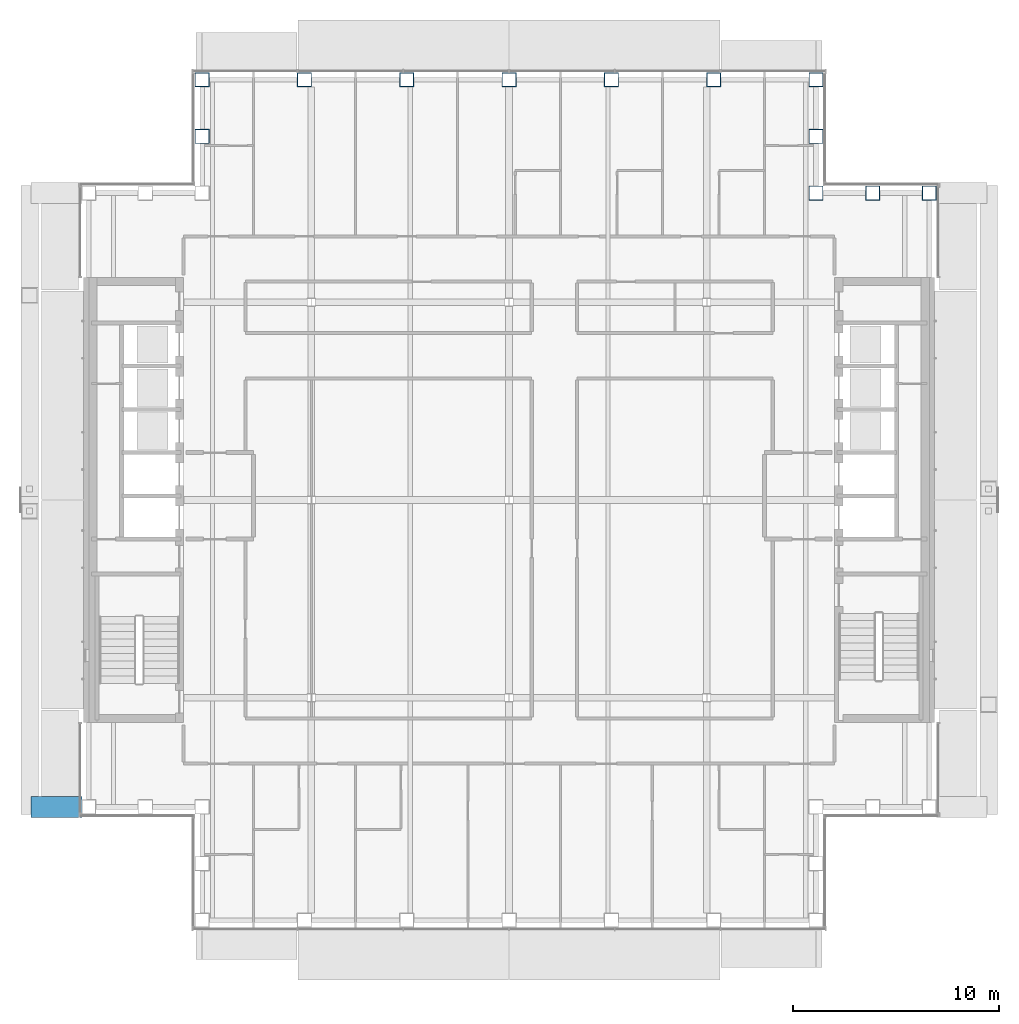
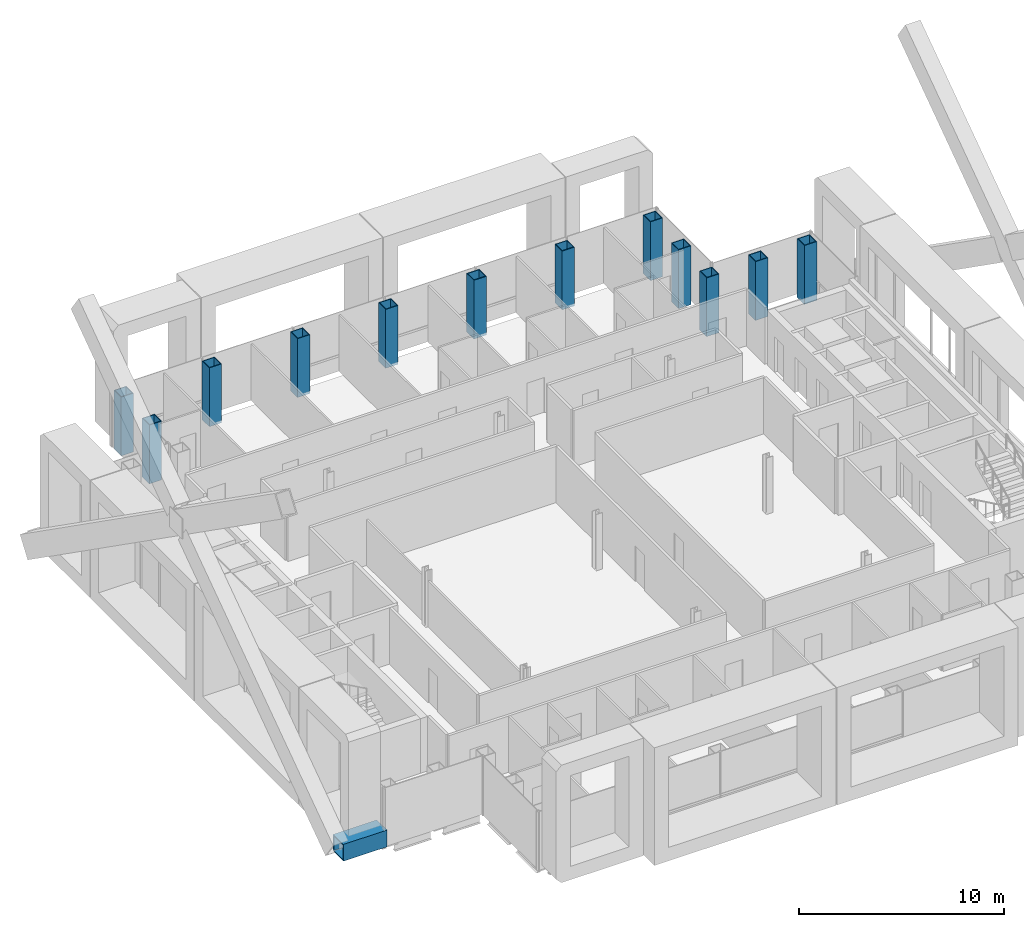
# One storey, part 2 of 21: 12 columns, 1 beam.
"""IFC4 building model written with IfcOpenShell, lengths in metres."""

from ifc_helpers import new_model, si_unit, direction, frame, origin, origin_2d, place, context, subcontext, project, spatial, hollow_rectangle, extrude, material, material_profile, profile_set, type_object, element, save


model = new_model("IFC4")

# Units and contexts
model_context = context("Model", 3, precision=1e-05, world=origin(), true_north=direction((0.0, 1.0)))
body_context = subcontext(model_context, "Body", "Model", "MODEL_VIEW")
ifc_project = project(units=[si_unit("LENGTHUNIT", "METRE"), si_unit("AREAUNIT", "SQUARE_METRE"), si_unit("VOLUMEUNIT", "CUBIC_METRE"), si_unit("PLANEANGLEUNIT", "RADIAN"), si_unit("MASSUNIT", "GRAM", prefix="KILO")], contexts=[model_context])

# Site, building, storey
site_placement = place(None, origin())
site = spatial("IfcSite", under=ifc_project, at=site_placement, CompositionType="ELEMENT")
building_placement = place(site_placement, origin())
building = spatial("IfcBuilding", under=site, at=building_placement, Name="Cobrizo Arcos Hotel Tower", CompositionType="ELEMENT")
storey_placement = place(building_placement, frame((0.0, 0.0, 212.0)))
storey = spatial("IfcBuildingStorey", under=building, at=storey_placement, Name="L55", CompositionType="ELEMENT", Elevation=212.0)

# Columns
ifc_material = material(Name="Steel ASTM A572 Grade 50", Category="steel")
ifc_material_profile_1 = material_profile(ifc_material, hollow_rectangle(XDim=0.699951171875, YDim=0.699951171875, WallThickness=0.0400390625, at=origin_2d()), Name="BOX 700X700X40")
ifc_profile_set_1 = profile_set([ifc_material_profile_1], Name="Steel ASTM A572 Grade 50")
column_type = type_object("IfcColumnType", Name="BOX 700X700X40 column", PredefinedType="COLUMN", material=ifc_profile_set_1)
for number, where, z_axis, x_axis, name in (
    (1, (-14.89990234375, 20.39990234375, -0.14990234375), (0.0, 0.0, 1.0), (1.0, 0.0, 0.0), "Perimeter column C10, L55, no. 00"),
    (2, (-9.93310546875, 20.39990234375, -0.14990234375), (0.0, 0.0, 1.0), (1.0, 0.0, 0.0), "Perimeter column C10, L55, no. 02"),
    (3, (-4.967041015625, 20.39990234375, -0.14990234375), (0.0, 0.0, 1.0), (1.0, 0.0, 0.0), "Perimeter column C10, L55, no. 04"),
    (4, (0.0, 20.39990234375, -0.14990234375), (0.0, 0.0, 1.0), (1.0, 0.0, 0.0), "Perimeter column C10, L55, no. 06"),
    (5, (4.967041015625, 20.39990234375, -0.14990234375), (0.0, 0.0, 1.0), (1.0, 0.0, 0.0), "Perimeter column C10, L55, no. 08"),
    (6, (9.93310546875, 20.39990234375, -0.14990234375), (0.0, 0.0, 1.0), (1.0, 0.0, 0.0), "Perimeter column C10, L55, no. 10"),
    (7, (14.89990234375, 20.39990234375, -0.14990234375), (0.0, 0.0, 1.0), (1.0, 0.0, 0.0), "Perimeter column C10, L55, no. 12"),
    (8, (20.39990234375, 14.89990234375, -0.14990234375), (0.0, 0.0, 1.0), (1.0, 0.0, 0.0), "Perimeter column C10, L55, no. 16"),
    (9, (-14.89990234375, 17.64990234375, -0.14990234375), (0.0, 0.0, 1.0), (1.0, 0.0, 0.0), "Perimeter column C10, L55, no. 22"),
    (10, (14.89990234375, 14.89990234375, -0.14990234375), (0.0, 0.0, 1.0), (1.0, 0.0, 0.0), "Perimeter column C10, L55, no. 27"),
    (11, (14.89990234375, 17.64990234375, -0.14990234375), (0.0, 0.0, 1.0), (1.0, 0.0, 0.0), "Perimeter column C10, L55, no. 28"),
    (12, (17.64990234375, 14.89990234375, -0.14990234375), (0.0, 0.0, 1.0), (1.0, 0.0, 0.0), "Perimeter column C10, L55, no. 29"),
):
    element("IfcColumn", number, at=place(storey_placement, frame(where, z_axis=z_axis, x_axis=x_axis)), inside=storey, type_object=column_type, Name=name, PredefinedType="COLUMN", context=body_context, shape_type="SweptSolid", body=[
        extrude(hollow_rectangle(XDim=0.699951171875, YDim=0.699951171875, WallThickness=0.0400390625, at=origin_2d()), origin(), (0.0, 0.0, 1.0), 3.5),
    ])

# Beam
ifc_material_profile_2 = material_profile(ifc_material, hollow_rectangle(XDim=1.0, YDim=1.0, WallThickness=0.06005859375, at=origin_2d()), Name="BOX 1000X1000X60")
ifc_profile_set_2 = profile_set([ifc_material_profile_2], Name="Steel ASTM A572 Grade 50")
beam_type = type_object("IfcBeamType", Name="BOX 1000X1000X60 brace connector strut", PredefinedType="BEAM", material=ifc_profile_set_2)
beam_placement = place(storey_placement, frame((-20.739990234375, -14.89990234375, 0.5), z_axis=(-1.0, 0.0, 0.0), x_axis=(0.0, -1.0, 0.0)))
element("IfcBeam", 13, at=beam_placement, inside=storey, type_object=beam_type, Name="Perimeter brace stub BS1, zone Z4, west face, offset -14.90 m, L55", PredefinedType="BEAM", context=body_context, shape_type="SweptSolid", body=[
    extrude(hollow_rectangle(XDim=1.0, YDim=1.0, WallThickness=0.06005859375, at=origin_2d()), origin(), (0.0, 0.0, 1.0), 2.455078125),
])

save(model, "model.ifc")
